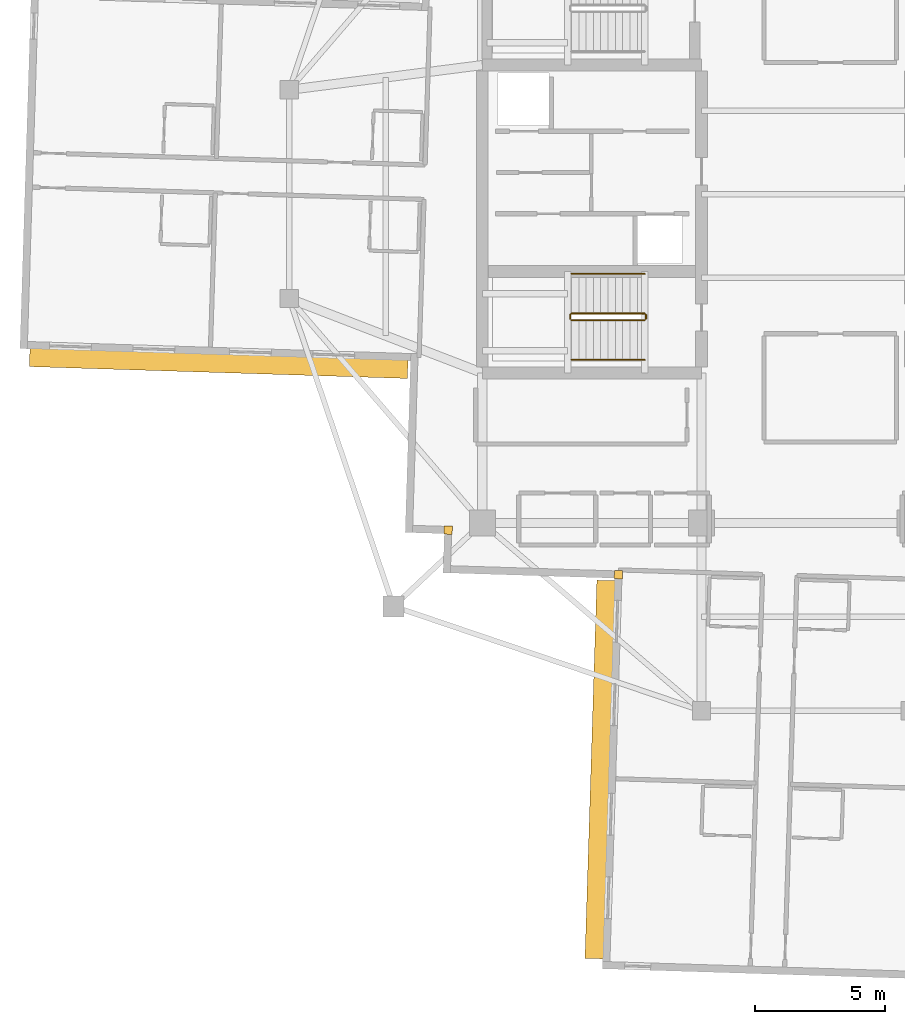
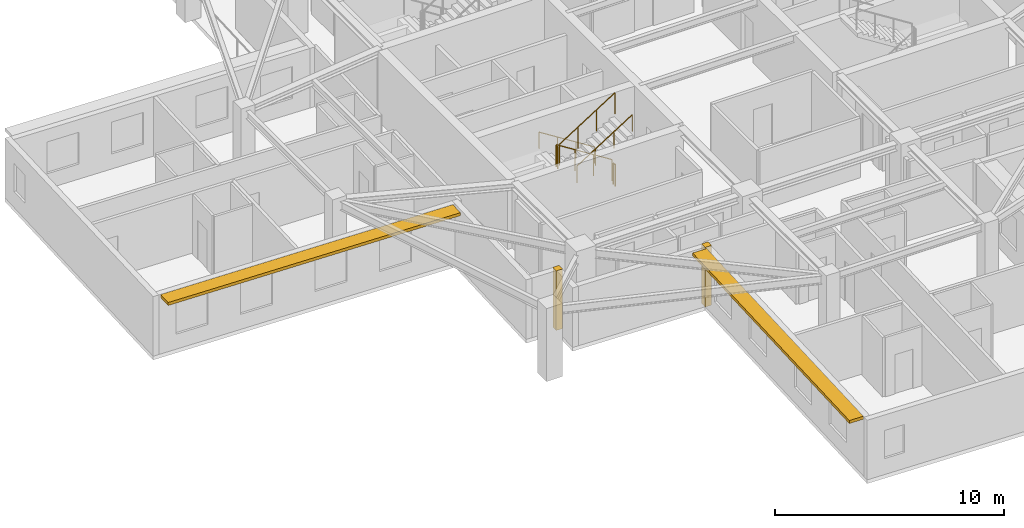
# One storey, part 10 of 13: 6 railings, 2 coverings, 2 shading devices.
"""IFC4 building model written with IfcOpenShell, lengths in metres."""

from ifc_helpers import new_model, si_unit, direction, frame, origin, origin_2d, place, context, subcontext, project, spatial, rectangle, circle, extrude, material, layer, layer_set, type_object, element, save


model = new_model("IFC4")

# Units and contexts
model_context = context("Model", 3, precision=1e-05, world=origin(), true_north=direction((0.0, 1.0)))
body_context = subcontext(model_context, "Body", "Model", "MODEL_VIEW")
ifc_project = project(units=[si_unit("LENGTHUNIT", "METRE"), si_unit("AREAUNIT", "SQUARE_METRE"), si_unit("VOLUMEUNIT", "CUBIC_METRE"), si_unit("PLANEANGLEUNIT", "RADIAN"), si_unit("MASSUNIT", "GRAM", prefix="KILO")], contexts=[model_context])

# Site, building, storey
site_placement = place(None, origin())
site = spatial("IfcSite", under=ifc_project, at=site_placement, CompositionType="ELEMENT")
building_placement = place(site_placement, origin())
building = spatial("IfcBuilding", under=site, at=building_placement, Name="Qingluan Cross Belvedere", CompositionType="ELEMENT")
storey_placement = place(building_placement, frame((0.0, 0.0, 257.699951171875)))
storey = spatial("IfcBuildingStorey", under=building, at=storey_placement, Name="L64", CompositionType="ELEMENT", Elevation=257.699951171875)

# Coverings
ifc_material_1 = material(Name="Precast concrete C45", Category="concrete")
ifc_layer_1 = layer(ifc_material_1, 0.1201171875, Name="ConcreteSpandrelCladding_120")
ifc_layer_set_1 = layer_set([ifc_layer_1], Name="Precast concrete C45")
covering_type = type_object("IfcCoveringType", Name="ConcreteSpandrelCladding_120", PredefinedType="CLADDING", material=ifc_layer_set_1)
for number, where, z_axis, x_axis, name in (
    (1, (-13.711181640625, -12.875732421875, 0.0), (0.0, 0.0, 1.0), (0.999506560366, -0.031410759078, 0.0), "Corner closure L64-SW1"),
    (2, (-7.181640625, -14.58154296875, 0.0), (0.0, 0.0, 1.0), (0.999506560366, -0.031410759078, 0.0), "Corner closure L64-SW2"),
):
    element("IfcCovering", number, at=place(storey_placement, frame(where, z_axis=z_axis, x_axis=x_axis)), inside=storey, type_object=covering_type, Name=name, PredefinedType="CLADDING", context=body_context, shape_type="SweptSolid", body=[
        extrude(rectangle(XDim=0.320068359375, YDim=0.320068359375, at=origin_2d()), origin(), (0.0, 0.0, 1.0), 3.179931640625),
    ])

# Shading devices
ifc_material_2 = material(Name="Precast concrete C45", Category="concrete")
ifc_layer_2 = layer(ifc_material_2, 0.139892578125, Name="ConcreteSunshadeBand_700")
ifc_layer_set_2 = layer_set([ifc_layer_2], Name="Precast concrete C45")
shading_device_type = type_object("IfcShadingDeviceType", Name="ConcreteSunshadeBand_700", PredefinedType="USERDEFINED", material=ifc_layer_set_2)
for number, where, z_axis, x_axis, name in (
    (3, (-22.5048828125, -6.486328125, 3.0), (0.0, 0.0, 1.0), (0.999506645453, -0.031408051437, 0.0), "Concrete SUNSHADE L64-WB"),
    (4, (-7.88671875, -22.052978515625, 3.0), (0.0, 0.0, 1.0), (-0.031408051437, -0.999506645453, 0.0), "Concrete SUNSHADE L64-SA"),
):
    element("IfcShadingDevice", number, at=place(storey_placement, frame(where, z_axis=z_axis, x_axis=x_axis)), inside=storey, type_object=shading_device_type, Name=name, ObjectType="SUNSHADE", PredefinedType="USERDEFINED", context=body_context, shape_type="SweptSolid", body=[
        extrude(rectangle(XDim=14.5, YDim=0.699951171875, at=origin_2d()), origin(), (0.0, 0.0, 1.0), 0.159912109375),
    ])

# Railings
ifc_material_3 = material(Name="Brushed stainless steel tubular handrail", Category="steel")
railing_type_1 = type_object("IfcRailingType", Name="StairPitchHandrail_900", PredefinedType="HANDRAIL", material=ifc_material_3)
railing_1_placement = place(storey_placement, frame((-6.179931640625, -3.050048828125, 0.17724609375)))
element("IfcRailing", 5, at=railing_1_placement, inside=storey, type_object=railing_type_1, Name="L64 ST1 stair handrail 1", PredefinedType="HANDRAIL", context=body_context, shape_type="SweptSolid", body=[
    extrude(circle(Radius=0.02392578125, at=origin_2d()), frame((0.0, 0.0, 0.8759765625), z_axis=(-0.844908973607, 0.0, 0.534910110503), x_axis=(0.0, -1.0, 0.0)), (0.0, 0.0, 1.0), 3.31396484375),
    extrude(circle(Radius=0.02099609375, at=origin_2d()), origin(), (0.0, 0.0, 1.0), 0.851806640625),
    extrude(circle(Radius=0.02099609375, at=origin_2d()), frame((-0.933349609375, 0.0, 0.5908203125)), (0.0, 0.0, 1.0), 0.851806640625),
    extrude(circle(Radius=0.02099609375, at=origin_2d()), frame((-1.86669921875, 0.0, 1.181884765625)), (0.0, 0.0, 1.0), 0.851806640625),
    extrude(circle(Radius=0.02099609375, at=origin_2d()), frame((-2.800048828125, 0.0, 1.772705078125)), (0.0, 0.0, 1.0), 0.851806640625),
])
railing_2_placement = place(storey_placement, frame((-8.97998046875, -6.35009765625, 2.12744140625)))
element("IfcRailing", 6, at=railing_2_placement, inside=storey, type_object=railing_type_1, Name="L64 ST1 stair handrail 2", PredefinedType="HANDRAIL", context=body_context, shape_type="SweptSolid", body=[
    extrude(circle(Radius=0.02392578125, at=origin_2d()), frame((0.0, 0.0, 0.8759765625), z_axis=(0.844908973607, 0.0, 0.534910110503), x_axis=(0.0, 1.0, 0.0)), (0.0, 0.0, 1.0), 3.31396484375),
    extrude(circle(Radius=0.02099609375, at=origin_2d()), origin(), (0.0, 0.0, 1.0), 0.851806640625),
    extrude(circle(Radius=0.02099609375, at=origin_2d()), frame((0.933349609375, 0.0, 0.5908203125)), (0.0, 0.0, 1.0), 0.851806640625),
    extrude(circle(Radius=0.02099609375, at=origin_2d()), frame((1.86669921875, 0.0, 1.181884765625)), (0.0, 0.0, 1.0), 0.851806640625),
    extrude(circle(Radius=0.02099609375, at=origin_2d()), frame((2.800048828125, 0.0, 1.772705078125)), (0.0, 0.0, 1.0), 0.851806640625),
])
ifc_material_4 = material(Name="Painted steel stair well guard", Category="steel")
railing_type_2 = type_object("IfcRailingType", Name="StairWellGuard_1150", PredefinedType="BALUSTRADE", material=ifc_material_4)
railing_3_placement = place(storey_placement, frame((-6.179931640625, -4.570068359375, 0.17724609375)))
element("IfcRailing", 7, at=railing_3_placement, inside=storey, type_object=railing_type_2, Name="L64 ST1 stair guard 1", PredefinedType="BALUSTRADE", context=body_context, shape_type="SweptSolid", body=[
    extrude(circle(Radius=0.02392578125, at=origin_2d()), frame((0.0, 0.0, 1.1259765625), z_axis=(-0.844908973607, 0.0, 0.534910110503), x_axis=(0.0, -1.0, 0.0)), (0.0, 0.0, 1.0), 3.31396484375),
    extrude(circle(Radius=0.02099609375, at=origin_2d()), origin(), (0.0, 0.0, 1.0), 1.101806640625),
    extrude(circle(Radius=0.02099609375, at=origin_2d()), frame((-0.933349609375, 0.0, 0.5908203125)), (0.0, 0.0, 1.0), 1.101806640625),
    extrude(circle(Radius=0.02099609375, at=origin_2d()), frame((-1.86669921875, 0.0, 1.181884765625)), (0.0, 0.0, 1.0), 1.101806640625),
    extrude(circle(Radius=0.02099609375, at=origin_2d()), frame((-2.800048828125, 0.0, 1.772705078125)), (0.0, 0.0, 1.0), 1.101806640625),
])
railing_4_placement = place(storey_placement, frame((-9.030029296875, -4.6201171875, 1.949951171875)))
element("IfcRailing", 8, at=railing_4_placement, inside=storey, type_object=railing_type_2, Name="L64 ST1 stair guard 2", PredefinedType="BALUSTRADE", context=body_context, shape_type="SweptSolid", body=[
    extrude(circle(Radius=0.02392578125, at=origin_2d()), frame((0.0, 0.0, 1.1259765625), z_axis=(0.0, -1.0, 0.0), x_axis=(1.0, 0.0, 0.0)), (0.0, 0.0, 1.0), 0.159912109375),
    extrude(circle(Radius=0.02099609375, at=origin_2d()), origin(), (0.0, 0.0, 1.0), 1.101806640625),
    extrude(circle(Radius=0.02099609375, at=origin_2d()), frame((0.0, -0.159912109375, 0.0)), (0.0, 0.0, 1.0), 1.101806640625),
])
railing_5_placement = place(storey_placement, frame((-8.97998046875, -4.830078125, 2.12744140625)))
element("IfcRailing", 9, at=railing_5_placement, inside=storey, type_object=railing_type_2, Name="L64 ST1 stair guard 3", PredefinedType="BALUSTRADE", context=body_context, shape_type="SweptSolid", body=[
    extrude(circle(Radius=0.02392578125, at=origin_2d()), frame((0.0, 0.0, 1.1259765625), z_axis=(0.844908973607, 0.0, 0.534910110503), x_axis=(0.0, 1.0, 0.0)), (0.0, 0.0, 1.0), 3.31396484375),
    extrude(circle(Radius=0.02099609375, at=origin_2d()), origin(), (0.0, 0.0, 1.0), 1.101806640625),
    extrude(circle(Radius=0.02099609375, at=origin_2d()), frame((0.933349609375, 0.0, 0.5908203125)), (0.0, 0.0, 1.0), 1.101806640625),
    extrude(circle(Radius=0.02099609375, at=origin_2d()), frame((1.86669921875, 0.0, 1.181884765625)), (0.0, 0.0, 1.0), 1.101806640625),
    extrude(circle(Radius=0.02099609375, at=origin_2d()), frame((2.800048828125, 0.0, 1.772705078125)), (0.0, 0.0, 1.0), 1.101806640625),
])
railing_6_placement = place(storey_placement, frame((-6.1298828125, -4.6201171875, 0.0)))
element("IfcRailing", 10, at=railing_6_placement, inside=storey, type_object=railing_type_2, Name="L64 ST1 stair guard 4", PredefinedType="BALUSTRADE", context=body_context, shape_type="SweptSolid", body=[
    extrude(circle(Radius=0.02392578125, at=origin_2d()), frame((0.0, 0.0, 1.1259765625), z_axis=(0.0, -1.0, 0.0), x_axis=(1.0, 0.0, 0.0)), (0.0, 0.0, 1.0), 0.159912109375),
    extrude(circle(Radius=0.02099609375, at=origin_2d()), origin(), (0.0, 0.0, 1.0), 1.101806640625),
    extrude(circle(Radius=0.02099609375, at=origin_2d()), frame((0.0, -0.159912109375, 0.0)), (0.0, 0.0, 1.0), 1.101806640625),
])

save(model, "model.ifc")
